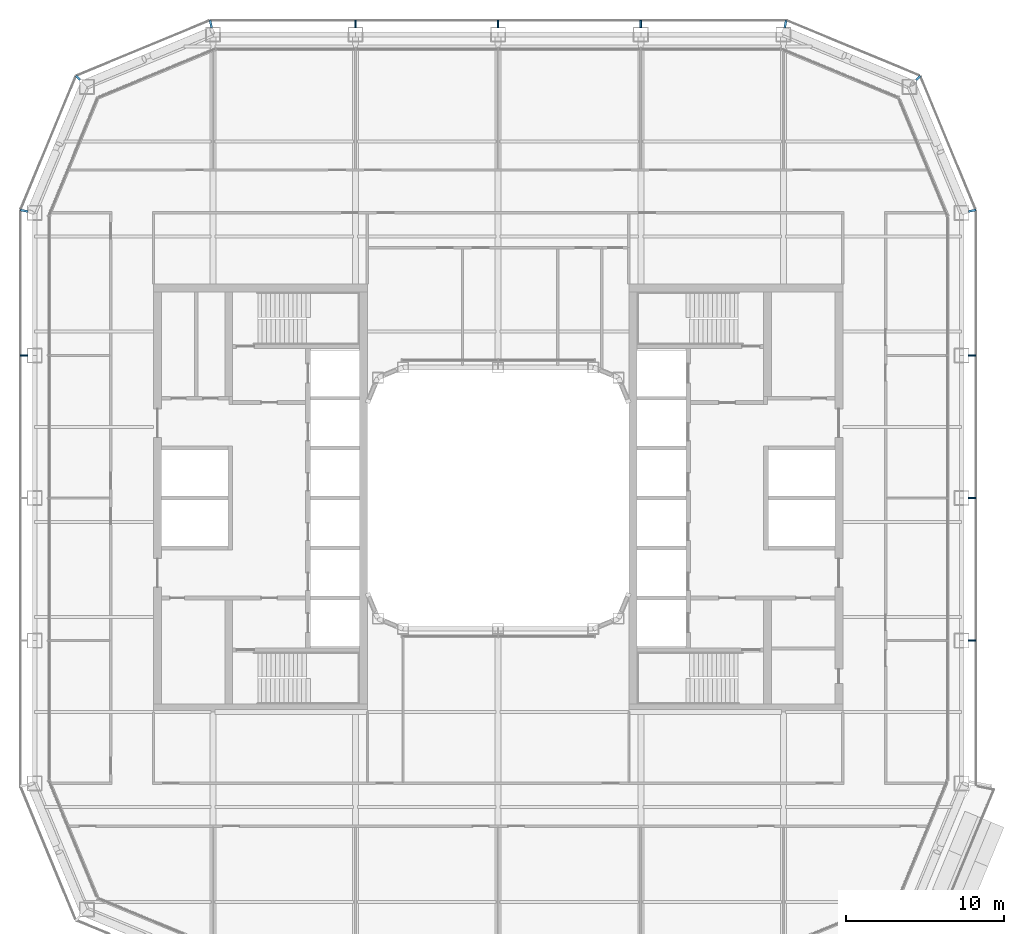
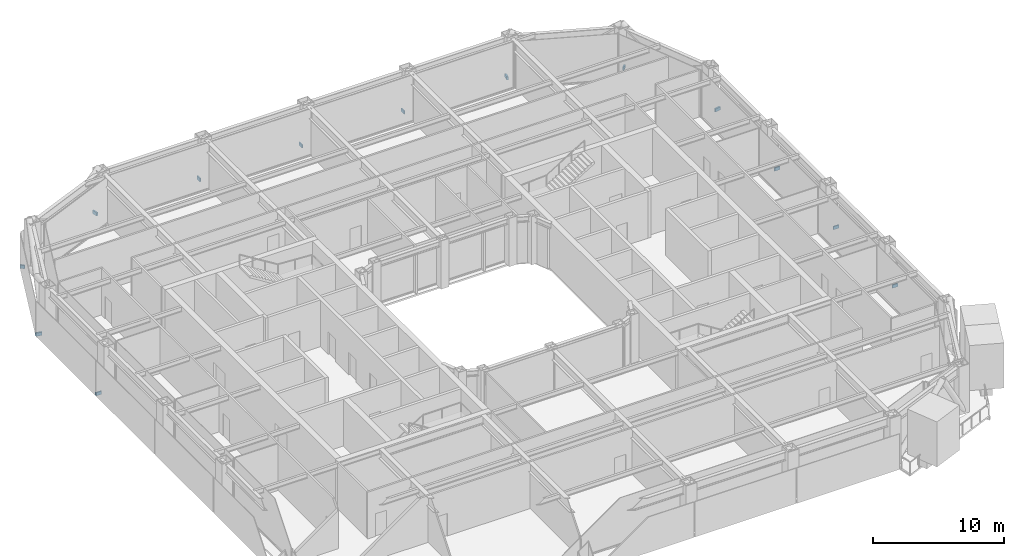
# One storey, part 17 of 23: 13 discrete accessories.
"""IFC4 building model written with IfcOpenShell, lengths in metres."""

from ifc_helpers import new_model, si_unit, direction, frame, origin, origin_2d, place, context, subcontext, project, spatial, rectangle, extrude, material, type_object, element, save


model = new_model("IFC4")

# Units and contexts
model_context = context("Model", 3, precision=1e-05, world=origin(), true_north=direction((0.0, 1.0)))
body_context = subcontext(model_context, "Body", "Model", "MODEL_VIEW")
ifc_project = project(units=[si_unit("LENGTHUNIT", "METRE"), si_unit("AREAUNIT", "SQUARE_METRE"), si_unit("VOLUMEUNIT", "CUBIC_METRE"), si_unit("PLANEANGLEUNIT", "RADIAN"), si_unit("MASSUNIT", "GRAM", prefix="KILO")], contexts=[model_context])

# Site, building, storey
site_placement = place(None, origin())
site = spatial("IfcSite", under=ifc_project, at=site_placement, CompositionType="ELEMENT")
building_placement = place(site_placement, origin())
building = spatial("IfcBuilding", under=site, at=building_placement, Name="Siwar Civic Tower", CompositionType="ELEMENT")
storey_placement = place(building_placement, frame((0.0, 0.0, 127.199951171875)))
storey = spatial("IfcBuildingStorey", under=building, at=storey_placement, Name="L27", CompositionType="ELEMENT", Elevation=127.199951171875)

# Discrete accessories
ifc_material = material(Name="Stainless steel 316", Category="steel")
discrete_accessory_type = type_object("IfcDiscreteAccessoryType", Name="ENV-BRACKET", PredefinedType="BRACKET", material=ifc_material)
for number, where, z_axis, x_axis, name in (
    (1, (29.9150390625, -9.0, -0.14990234375), (0.0, 0.0, 1.0), (1.0, 0.0, 0.0), "Bracket outer skin joint E-01"),
    (2, (29.9150390625, 0.0, -0.14990234375), (0.0, 0.0, 1.0), (1.0, 0.0, 0.0), "Bracket outer skin joint E-02"),
    (3, (29.9150390625, 9.0, -0.14990234375), (0.0, 0.0, 1.0), (1.0, 0.0, 0.0), "Bracket outer skin joint E-03"),
    (4, (9.0, 29.9150390625, -0.14990234375), (0.0, 0.0, 1.0), (0.0, 1.0, 0.0), "Bracket outer skin joint N-01"),
    (5, (0.0, 29.9150390625, -0.14990234375), (0.0, 0.0, 1.0), (0.0, 1.0, 0.0), "Bracket outer skin joint N-02"),
    (6, (-9.0, 29.9150390625, -0.14990234375), (0.0, 0.0, 1.0), (0.0, 1.0, 0.0), "Bracket outer skin joint N-03"),
):
    element("IfcDiscreteAccessory", number, at=place(storey_placement, frame(where, z_axis=z_axis, x_axis=x_axis)), inside=storey, type_object=discrete_accessory_type, Name=name, PredefinedType="BRACKET", context=body_context, shape_type="SweptSolid", body=[
        extrude(rectangle(XDim=0.469970703125, YDim=0.10009765625, at=origin_2d()), origin(), (0.0, 0.0, 1.0), 0.300048828125),
    ])
discrete_accessory_1_placement = place(storey_placement, frame((29.915283203125, 18.13232421875, -0.14990234375), z_axis=(0.0, 0.0, 1.0), x_axis=(0.980785280403, 0.195090322016, 0.0)))
element("IfcDiscreteAccessory", 7, at=discrete_accessory_1_placement, inside=storey, type_object=discrete_accessory_type, Name="Bracket outer skin joint V04", PredefinedType="BRACKET", context=body_context, shape_type="SweptSolid", body=[
    extrude(rectangle(XDim=0.478759765625, YDim=0.13720703125, at=origin_2d()), origin(), (0.0, 0.0, 1.0), 0.300048828125),
])
discrete_accessory_2_placement = place(storey_placement, frame((26.517333984375, 26.517333984375, -0.14990234375), z_axis=(0.0, 0.0, 1.0), x_axis=(0.707106781187, 0.707106781187, 0.0)))
element("IfcDiscreteAccessory", 8, at=discrete_accessory_2_placement, inside=storey, type_object=discrete_accessory_type, Name="Bracket outer skin joint V05", PredefinedType="BRACKET", context=body_context, shape_type="SweptSolid", body=[
    extrude(rectangle(XDim=0.357666015625, YDim=0.12939453125, at=origin_2d()), origin(), (0.0, 0.0, 1.0), 0.300048828125),
])
for number, where, z_axis, x_axis, name in (
    (9, (18.13232421875, 29.915283203125, -0.14990234375), (0.0, 0.0, 1.0), (0.195090322016, 0.980785280403, 0.0), "Bracket outer skin joint V06"),
    (10, (-18.13232421875, 29.915283203125, -0.14990234375), (0.0, 0.0, 1.0), (-0.195090322016, 0.980785280403, 0.0), "Bracket outer skin joint V07"),
):
    element("IfcDiscreteAccessory", number, at=place(storey_placement, frame(where, z_axis=z_axis, x_axis=x_axis)), inside=storey, type_object=discrete_accessory_type, Name=name, PredefinedType="BRACKET", context=body_context, shape_type="SweptSolid", body=[
        extrude(rectangle(XDim=0.478759765625, YDim=0.13720703125, at=origin_2d()), origin(), (0.0, 0.0, 1.0), 0.300048828125),
    ])
discrete_accessory_3_placement = place(storey_placement, frame((-26.517333984375, 26.517333984375, -0.14990234375), z_axis=(0.0, 0.0, 1.0), x_axis=(-0.707106781187, 0.707106781187, 0.0)))
element("IfcDiscreteAccessory", 11, at=discrete_accessory_3_placement, inside=storey, type_object=discrete_accessory_type, Name="Bracket outer skin joint V08", PredefinedType="BRACKET", context=body_context, shape_type="SweptSolid", body=[
    extrude(rectangle(XDim=0.357666015625, YDim=0.12939453125, at=origin_2d()), origin(), (0.0, 0.0, 1.0), 0.300048828125),
])
discrete_accessory_4_placement = place(storey_placement, frame((-29.915283203125, 18.13232421875, -0.14990234375), z_axis=(0.0, 0.0, 1.0), x_axis=(-0.980785280403, 0.195090322016, 0.0)))
element("IfcDiscreteAccessory", 12, at=discrete_accessory_4_placement, inside=storey, type_object=discrete_accessory_type, Name="Bracket outer skin joint V09", PredefinedType="BRACKET", context=body_context, shape_type="SweptSolid", body=[
    extrude(rectangle(XDim=0.478759765625, YDim=0.13720703125, at=origin_2d()), origin(), (0.0, 0.0, 1.0), 0.300048828125),
])
discrete_accessory_5_placement = place(storey_placement, frame((-29.9150390625, 9.0, -0.14990234375), z_axis=(0.0, 0.0, 1.0), x_axis=(-1.0, 0.0, 0.0)))
element("IfcDiscreteAccessory", 13, at=discrete_accessory_5_placement, inside=storey, type_object=discrete_accessory_type, Name="Bracket outer skin joint W-01", PredefinedType="BRACKET", context=body_context, shape_type="SweptSolid", body=[
    extrude(rectangle(XDim=0.469970703125, YDim=0.10009765625, at=origin_2d()), origin(), (0.0, 0.0, 1.0), 0.300048828125),
])

save(model, "model.ifc")
